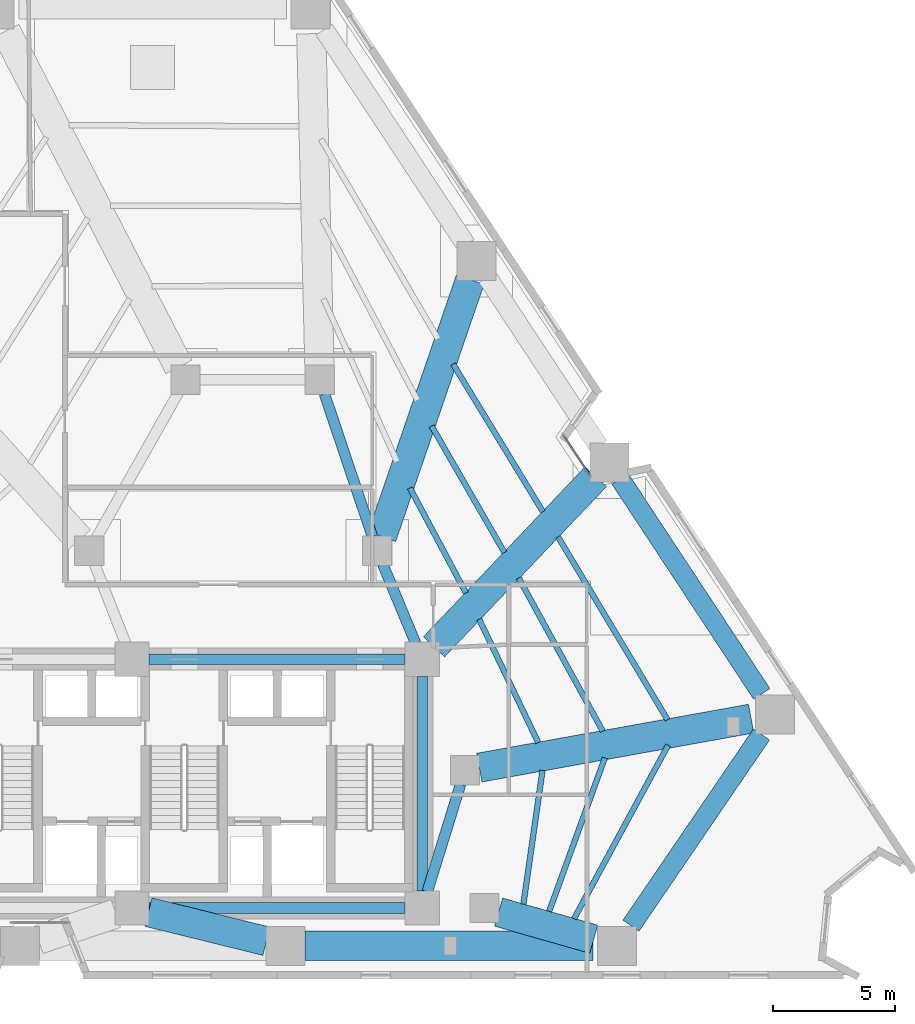
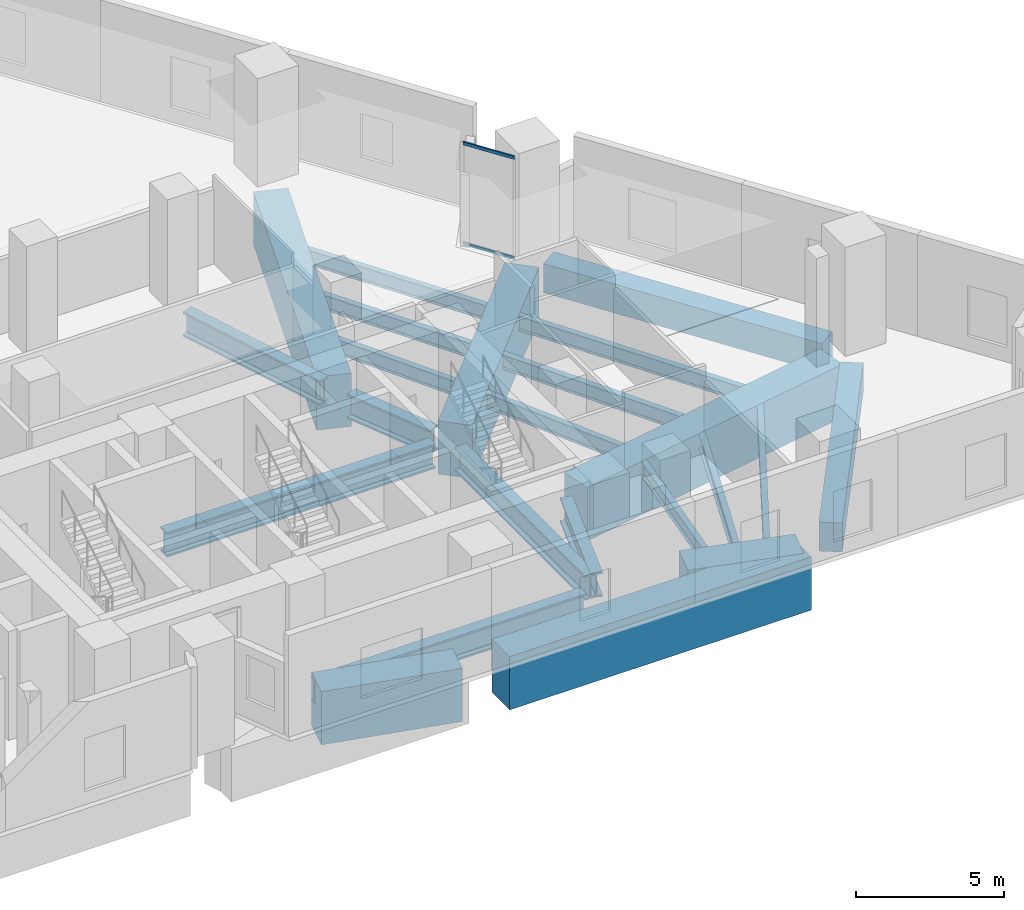
# One storey, part 4 of 15: 23 beams, 2 members, 1 element without a shape of its own.
"""IFC4 building model written with IfcOpenShell, lengths in metres."""

from ifc_helpers import new_model, si_unit, direction, frame, origin, origin_2d, place, context, subcontext, project, spatial, rectangle, i_section, extrude, material, layer, layer_set, material_profile, profile_set, type_object, element, aggregate, save


model = new_model("IFC4")

# Units and contexts
model_context = context("Model", 3, precision=1e-05, world=origin(), true_north=direction((0.0, 1.0)))
body_context = subcontext(model_context, "Body", "Model", "MODEL_VIEW")
ifc_project = project(units=[si_unit("LENGTHUNIT", "METRE"), si_unit("AREAUNIT", "SQUARE_METRE"), si_unit("VOLUMEUNIT", "CUBIC_METRE"), si_unit("PLANEANGLEUNIT", "RADIAN"), si_unit("MASSUNIT", "GRAM", prefix="KILO")], contexts=[model_context])

# Site, building, storey
site_placement = place(None, origin())
site = spatial("IfcSite", under=ifc_project, at=site_placement, CompositionType="ELEMENT")
building_placement = place(site_placement, origin())
building = spatial("IfcBuilding", under=site, at=building_placement, Name="Almagre Mirador Tower", CompositionType="ELEMENT")
storey_placement = place(building_placement, frame((0.0, 0.0, 8.39990234375)))
storey = spatial("IfcBuildingStorey", under=building, at=storey_placement, Name="L01", CompositionType="ELEMENT", Elevation=8.39990234375)

# Beams
ifc_material_1 = material(Name="Steel ASTM A992 Grade 50", Category="steel")
ifc_material_profile_1 = material_profile(ifc_material_1, i_section(OverallWidth=0.22802734375, OverallDepth=0.60791015625, WebThickness=0.01123046875, FlangeThickness=0.017333984375, FilletRadius=0.02001953125, at=origin_2d()), Name="W24X76")
ifc_profile_set_1 = profile_set([ifc_material_profile_1], Name="Steel ASTM A992 Grade 50")
beam_type_1 = type_object("IfcBeamType", Name="BM-JST-W24X76", PredefinedType="JOIST", material=ifc_profile_set_1)
beam_1_placement = place(storey_placement, frame((53.27197265625, 4.11279296875, -0.60400390625), z_axis=(0.476602964538, 0.87911865763, 0.0), x_axis=(-0.87911865763, 0.476602964538, 0.0)))
element("IfcBeam", 1, at=beam_1_placement, inside=storey, type_object=beam_type_1, Name="L01 secondary floor joist PC04-PC05.1", PredefinedType="JOIST", context=body_context, shape_type="SweptSolid", body=[
    extrude(i_section(OverallWidth=0.22802734375, OverallDepth=0.60791015625, WebThickness=0.01123046875, FlangeThickness=0.017333984375, FilletRadius=0.02001953125, at=origin_2d()), origin(), (0.0, 0.0, 1.0), 8.090087890625),
])
beam_2_placement = place(storey_placement, frame((52.254150390625, 4.416015625, -0.60400390625), z_axis=(0.340869869611, 0.940110489246, 0.0), x_axis=(-0.940110489246, 0.340869869611, 0.0)))
element("IfcBeam", 2, at=beam_2_placement, inside=storey, type_object=beam_type_1, Name="L01 secondary floor joist PC04-PC05.2", PredefinedType="JOIST", context=body_context, shape_type="SweptSolid", body=[
    extrude(i_section(OverallWidth=0.22802734375, OverallDepth=0.60791015625, WebThickness=0.01123046875, FlangeThickness=0.017333984375, FilletRadius=0.02001953125, at=origin_2d()), origin(), (0.0, 0.0, 1.0), 6.69091796875),
])
beam_3_placement = place(storey_placement, frame((51.197998046875, 4.712890625, -0.60400390625), z_axis=(0.14127320298, 0.9899706471, 0.0), x_axis=(-0.9899706471, 0.14127320298, 0.0)))
element("IfcBeam", 3, at=beam_3_placement, inside=storey, type_object=beam_type_1, Name="L01 secondary floor joist PC04-PC05.3", PredefinedType="JOIST", context=body_context, shape_type="SweptSolid", body=[
    extrude(i_section(OverallWidth=0.22802734375, OverallDepth=0.60791015625, WebThickness=0.01123046875, FlangeThickness=0.017333984375, FilletRadius=0.02001953125, at=origin_2d()), origin(), (0.0, 0.0, 1.0), 5.536865234375),
])
beam_4_placement = place(storey_placement, frame((57.105712890625, 12.26708984375, -0.60400390625), z_axis=(-0.513665550417, 0.857990502462, 0.0), x_axis=(-0.857990502462, -0.513665550417, 0.0)))
element("IfcBeam", 4, at=beam_4_placement, inside=storey, type_object=beam_type_1, Name="L01 secondary floor joist PC05-PC06.1", PredefinedType="JOIST", context=body_context, shape_type="SweptSolid", body=[
    extrude(i_section(OverallWidth=0.22802734375, OverallDepth=0.60791015625, WebThickness=0.01123046875, FlangeThickness=0.017333984375, FilletRadius=0.02001953125, at=origin_2d()), origin(), (0.0, 0.0, 1.0), 8.73828125),
])
beam_5_placement = place(storey_placement, frame((54.45068359375, 11.79638671875, -0.60400390625), z_axis=(-0.480827541249, 0.876815188952, 0.0), x_axis=(-0.876815188952, -0.480827541249, 0.0)))
element("IfcBeam", 5, at=beam_5_placement, inside=storey, type_object=beam_type_1, Name="L01 secondary floor joist PC05-PC06.2", PredefinedType="JOIST", context=body_context, shape_type="SweptSolid", body=[
    extrude(i_section(OverallWidth=0.22802734375, OverallDepth=0.60791015625, WebThickness=0.01123046875, FlangeThickness=0.017333984375, FilletRadius=0.02001953125, at=origin_2d()), origin(), (0.0, 0.0, 1.0), 7.165283203125),
])
beam_6_placement = place(storey_placement, frame((51.805908203125, 11.32958984375, -0.60400390625), z_axis=(-0.431741890826, 0.901997194955, 0.0), x_axis=(-0.901997194955, -0.431741890826, 0.0)))
element("IfcBeam", 6, at=beam_6_placement, inside=storey, type_object=beam_type_1, Name="L01 secondary floor joist PC05-PC06.3", PredefinedType="JOIST", context=body_context, shape_type="SweptSolid", body=[
    extrude(i_section(OverallWidth=0.22802734375, OverallDepth=0.60791015625, WebThickness=0.01123046875, FlangeThickness=0.017333984375, FilletRadius=0.02001953125, at=origin_2d()), origin(), (0.0, 0.0, 1.0), 5.610107421875),
])
beam_7_placement = place(storey_placement, frame((51.997314453125, 20.7919921875, -0.60400390625), z_axis=(-0.519619011787, 0.854398082038, 0.0), x_axis=(-0.854398082038, -0.519619011787, 0.0)))
element("IfcBeam", 7, at=beam_7_placement, inside=storey, type_object=beam_type_1, Name="L01 secondary floor joist PC06-PC07.1", PredefinedType="JOIST", context=body_context, shape_type="SweptSolid", body=[
    extrude(i_section(OverallWidth=0.22802734375, OverallDepth=0.60791015625, WebThickness=0.01123046875, FlangeThickness=0.017333984375, FilletRadius=0.02001953125, at=origin_2d()), origin(), (0.0, 0.0, 1.0), 7.086181640625),
])
beam_8_placement = place(storey_placement, frame((50.41748046875, 19.125244140625, -0.60400390625), z_axis=(-0.498936574753, 0.866638502707, 0.0), x_axis=(-0.866638502707, -0.498936574753, 0.0)))
element("IfcBeam", 8, at=beam_8_placement, inside=storey, type_object=beam_type_1, Name="L01 secondary floor joist PC06-PC07.2", PredefinedType="JOIST", context=body_context, shape_type="SweptSolid", body=[
    extrude(i_section(OverallWidth=0.22802734375, OverallDepth=0.60791015625, WebThickness=0.01123046875, FlangeThickness=0.017333984375, FilletRadius=0.02001953125, at=origin_2d()), origin(), (0.0, 0.0, 1.0), 5.98095703125),
])
beam_9_placement = place(storey_placement, frame((48.84228515625, 17.460693359375, -0.60400390625), z_axis=(-0.470289676789, 0.882512107512, 0.0), x_axis=(-0.882512107512, -0.470289676789, 0.0)))
element("IfcBeam", 9, at=beam_9_placement, inside=storey, type_object=beam_type_1, Name="L01 secondary floor joist PC06-PC07.3", PredefinedType="JOIST", context=body_context, shape_type="SweptSolid", body=[
    extrude(i_section(OverallWidth=0.22802734375, OverallDepth=0.60791015625, WebThickness=0.01123046875, FlangeThickness=0.017333984375, FilletRadius=0.02001953125, at=origin_2d()), origin(), (0.0, 0.0, 1.0), 4.88134765625),
])
ifc_material_2 = material(Name="Precast concrete C50/60", Category="concrete")
ifc_material_profile_2 = material_profile(ifc_material_2, rectangle(XDim=0.800048828125, YDim=1.199951171875, at=origin_2d()), Name="RC800X1200")
ifc_profile_set_2 = profile_set([ifc_material_profile_2], Name="Precast concrete C50/60")
beam_type_2 = type_object("IfcBeamType", Name="BM-SPN-RC800X1200", PredefinedType="SPANDREL", material=ifc_profile_set_2)
beam_10_placement = place(storey_placement, frame((55.603759765625, 3.825927734375, -0.89990234375), z_axis=(0.563701507362, 0.825978577566, 0.0), x_axis=(-0.825978577566, 0.563701507362, 0.0)))
element("IfcBeam", 10, at=beam_10_placement, inside=storey, type_object=beam_type_2, Name="L01 perimeter spandrel beam PC04-PC05", PredefinedType="SPANDREL", context=body_context, shape_type="SweptSolid", body=[
    extrude(rectangle(XDim=0.800048828125, YDim=1.199951171875, at=origin_2d()), origin(), (0.0, 0.0, 1.0), 9.491943359375),
])
beam_11_placement = place(storey_placement, frame((60.9677734375, 13.326904296875, -0.89990234375), z_axis=(-0.550199423007, 0.835033289709, 0.0), x_axis=(-0.835033289709, -0.550199423007, 0.0)))
element("IfcBeam", 11, at=beam_11_placement, inside=storey, type_object=beam_type_2, Name="L01 perimeter spandrel beam PC05-PC06", PredefinedType="SPANDREL", context=body_context, shape_type="SweptSolid", body=[
    extrude(rectangle(XDim=0.800048828125, YDim=1.199951171875, at=origin_2d()), origin(), (0.0, 0.0, 1.0), 10.55908203125),
])
ifc_material_3 = material(Name="Steel ASTM A992 Grade 50", Category="steel")
ifc_material_profile_3 = material_profile(ifc_material_3, i_section(OverallWidth=0.43701171875, OverallDepth=1.010986328125, WebThickness=0.041015625, FlangeThickness=0.073974609375, FilletRadius=0.028076171875, at=origin_2d()), Name="W36X529")
ifc_profile_set_3 = profile_set([ifc_material_profile_3], Name="Steel ASTM A992 Grade 50")
beam_type_3 = type_object("IfcBeamType", Name="BM-STL-W36X529", PredefinedType="BEAM", material=ifc_profile_set_3)
for number, where, z_axis, x_axis, name in (
    (12, (35.85009765625, 4.550048828125, -0.805419921875), (1.0, 0.0, 0.0), (0.0, 1.0, 0.0), "L01 core tie girder CC2-CC3"),
    (13, (35.85009765625, 14.75, -0.805419921875), (1.0, 0.0, 0.0), (0.0, 1.0, 0.0), "L01 core tie girder CC5-CC6"),
):
    element("IfcBeam", number, at=place(storey_placement, frame(where, z_axis=z_axis, x_axis=x_axis)), inside=storey, type_object=beam_type_3, Name=name, PredefinedType="BEAM", context=body_context, shape_type="SweptSolid", body=[
        extrude(i_section(OverallWidth=0.43701171875, OverallDepth=1.010986328125, WebThickness=0.041015625, FlangeThickness=0.073974609375, FilletRadius=0.028076171875, at=origin_2d()), origin(), (0.0, 0.0, 1.0), 10.5),
    ])
beam_12_placement = place(storey_placement, frame((47.050048828125, 5.25, -0.805419921875), z_axis=(0.0, 1.0, 0.0), x_axis=(-1.0, 0.0, 0.0)))
element("IfcBeam", 14, at=beam_12_placement, inside=storey, type_object=beam_type_3, Name="L01 core tie girder CC3-CC6", PredefinedType="BEAM", context=body_context, shape_type="SweptSolid", body=[
    extrude(i_section(OverallWidth=0.43701171875, OverallDepth=1.010986328125, WebThickness=0.041015625, FlangeThickness=0.073974609375, FilletRadius=0.028076171875, at=origin_2d()), origin(), (0.0, 0.0, 1.0), 8.800048828125),
])
beam_13_placement = place(storey_placement, frame((48.62255859375, 9.626953125, -0.805419921875), z_axis=(-0.295888328273, -0.955222538046, 0.0), x_axis=(0.955222538046, -0.295888328273, 0.0)))
element("IfcBeam", 15, at=beam_13_placement, inside=storey, type_object=beam_type_3, Name="L01 core tie girder MC3-CC3", PredefinedType="BEAM", context=body_context, shape_type="SweptSolid", body=[
    extrude(i_section(OverallWidth=0.43701171875, OverallDepth=1.010986328125, WebThickness=0.041015625, FlangeThickness=0.073974609375, FilletRadius=0.028076171875, at=origin_2d()), origin(), (0.0, 0.0, 1.0), 4.61474609375),
])
beam_14_placement = place(storey_placement, frame((45.430419921875, 18.64599609375, -0.805419921875), z_axis=(0.383856635851, -0.923392702545, 0.0), x_axis=(0.923392702545, 0.383856635851, 0.0)))
element("IfcBeam", 16, at=beam_14_placement, inside=storey, type_object=beam_type_3, Name="L01 core tie girder MC5-CC6", PredefinedType="BEAM", context=body_context, shape_type="SweptSolid", body=[
    extrude(i_section(OverallWidth=0.43701171875, OverallDepth=1.010986328125, WebThickness=0.041015625, FlangeThickness=0.073974609375, FilletRadius=0.028076171875, at=origin_2d()), origin(), (0.0, 0.0, 1.0), 3.51904296875),
])
beam_15_placement = place(storey_placement, frame((43.041015625, 25.631103515625, -0.805419921875), z_axis=(0.318252395552, -0.948006019351, 0.0), x_axis=(0.948006019351, 0.318252395552, 0.0)))
element("IfcBeam", 17, at=beam_15_placement, inside=storey, type_object=beam_type_3, Name="L01 core tie girder MC6-MC5", PredefinedType="BEAM", context=body_context, shape_type="SweptSolid", body=[
    extrude(i_section(OverallWidth=0.43701171875, OverallDepth=1.010986328125, WebThickness=0.041015625, FlangeThickness=0.073974609375, FilletRadius=0.028076171875, at=origin_2d()), origin(), (0.0, 0.0, 1.0), 6.183837890625),
])
ifc_material_4 = material(Name="Concrete C60/75", Category="concrete")
ifc_material_profile_4 = material_profile(ifc_material_4, rectangle(XDim=1.199951171875, YDim=2.199951171875, at=origin_2d()), Name="RC1200X2200")
ifc_profile_set_4 = profile_set([ifc_material_profile_4], Name="Concrete C60/75")
beam_type_4 = type_object("IfcBeamType", Name="BM-XFER-RC1200X2200", PredefinedType="BEAM", material=ifc_profile_set_4)
beam_16_placement = place(storey_placement, frame((42.239990234375, 3.0, -1.39990234375), z_axis=(1.0, 0.0, 0.0), x_axis=(0.0, 1.0, 0.0)))
element("IfcBeam", 18, at=beam_16_placement, inside=storey, type_object=beam_type_4, Name="L01 perimeter spandrel beam PC03-PC04", PredefinedType="BEAM", context=body_context, shape_type="SweptSolid", body=[
    extrude(rectangle(XDim=1.199951171875, YDim=2.199951171875, at=origin_2d()), origin(), (0.0, 0.0, 1.0), 11.800048828125),
])
beam_17_placement = place(storey_placement, frame((40.6630859375, 3.19140625, -1.39990234375), z_axis=(-0.970950577001, 0.239280122497, 0.0), x_axis=(-0.239280122497, -0.970950577001, 0.0)))
element("IfcBeam", 19, at=beam_17_placement, inside=storey, type_object=beam_type_4, Name="L01 radial transfer girder PC03-CC2", PredefinedType="BEAM", context=body_context, shape_type="SweptSolid", body=[
    extrude(rectangle(XDim=1.199951171875, YDim=2.199951171875, at=origin_2d()), origin(), (0.0, 0.0, 1.0), 4.97802734375),
])
beam_18_placement = place(storey_placement, frame((54.078369140625, 3.27392578125, -1.39990234375), z_axis=(-0.961725811742, 0.274013618327, 0.0), x_axis=(-0.274013618327, -0.961725811742, 0.0)))
element("IfcBeam", 20, at=beam_18_placement, inside=storey, type_object=beam_type_4, Name="L01 radial transfer girder PC04-MC2", PredefinedType="BEAM", context=body_context, shape_type="SweptSolid", body=[
    extrude(rectangle(XDim=1.199951171875, YDim=2.199951171875, at=origin_2d()), origin(), (0.0, 0.0, 1.0), 4.056640625),
])
beam_19_placement = place(storey_placement, frame((60.533935546875, 12.314697265625, -1.39990234375), z_axis=(-0.984145408317, -0.177363511717, 0.0), x_axis=(0.177363511717, -0.984145408317, 0.0)))
element("IfcBeam", 21, at=beam_19_placement, inside=storey, type_object=beam_type_4, Name="L01 radial transfer girder PC05-MC3", PredefinedType="BEAM", context=body_context, shape_type="SweptSolid", body=[
    extrude(rectangle(XDim=1.199951171875, YDim=2.199951171875, at=origin_2d()), origin(), (0.0, 0.0, 1.0), 11.322998046875),
])
beam_20_placement = place(storey_placement, frame((54.166748046875, 22.232421875, -1.39990234375), z_axis=(-0.689169924888, -0.724599761683, 0.0), x_axis=(0.724599761683, -0.689169924888, 0.0)))
element("IfcBeam", 22, at=beam_20_placement, inside=storey, type_object=beam_type_4, Name="L01 radial transfer girder PC06-CC6", PredefinedType="BEAM", context=body_context, shape_type="SweptSolid", body=[
    extrude(rectangle(XDim=1.199951171875, YDim=2.199951171875, at=origin_2d()), origin(), (0.0, 0.0, 1.0), 9.62646484375),
])
beam_21_placement = place(storey_placement, frame((49.01806640625, 30.311279296875, -1.39990234375), z_axis=(-0.324964711331, -0.945726142384, 0.0), x_axis=(0.945726142384, -0.324964711331, 0.0)))
element("IfcBeam", 23, at=beam_21_placement, inside=storey, type_object=beam_type_4, Name="L01 radial transfer girder PC07-MC5", PredefinedType="BEAM", context=body_context, shape_type="SweptSolid", body=[
    extrude(rectangle(XDim=1.199951171875, YDim=2.199951171875, at=origin_2d()), origin(), (0.0, 0.0, 1.0), 11.14892578125),
])

# Curtain wall, members
ifc_material_5 = material(Name="Black anodized aluminium", Category="aluminium")
ifc_layer = layer(ifc_material_5, 0.169921875)
ifc_layer_set = layer_set([ifc_layer], Name="Black anodized aluminium")
curtain_wall_type = type_object("IfcCurtainWallType", Name="CW-CRS-SYS", PredefinedType="NOTDEFINED", material=ifc_layer_set)
curtain_wall_placement = place(storey_placement, origin())
curtain_wall = element("IfcCurtainWall", 24, at=curtain_wall_placement, inside=storey, type_object=curtain_wall_type, Name="L01 vertical crease curtain wall 05", PredefinedType="NOTDEFINED")
ifc_material_6 = material(Name="Black anodized aluminium", Category="aluminium")
ifc_material_profile_5 = material_profile(ifc_material_6, rectangle(XDim=0.06005859375, YDim=0.1298828125, at=origin_2d()), Name="CWT60X130")
ifc_profile_set_5 = profile_set([ifc_material_profile_5], Name="Black anodized aluminium")
member_type = type_object("IfcMemberType", Name="MBR-CWT60X130", PredefinedType="USERDEFINED", material=ifc_profile_set_5)
member_1_placement = place(storey_placement, frame((52.847900390625, 23.9228515625, 0.030029296875), z_axis=(0.55030940239, -0.834960814435, 0.0), x_axis=(0.834960814435, 0.55030940239, 0.0)))
member_1 = element("IfcMember", 25, at=member_1_placement, type_object=member_type, Name="CW-4 transom 1.1", ObjectType="TRANSOM", PredefinedType="USERDEFINED", context=body_context, shape_type="SweptSolid", body=[
    extrude(rectangle(XDim=0.06005859375, YDim=0.1298828125, at=origin_2d()), origin(), (0.0, 0.0, 1.0), 1.953857421875),
])
member_2_placement = place(storey_placement, frame((52.847900390625, 23.9228515625, 4.170166015625), z_axis=(0.55030940239, -0.834960814435, 0.0), x_axis=(0.834960814435, 0.55030940239, 0.0)))
member_2 = element("IfcMember", 26, at=member_2_placement, type_object=member_type, Name="CW-4 transom 1.2", ObjectType="TRANSOM", PredefinedType="USERDEFINED", context=body_context, shape_type="SweptSolid", body=[
    extrude(rectangle(XDim=0.06005859375, YDim=0.1298828125, at=origin_2d()), origin(), (0.0, 0.0, 1.0), 1.953857421875),
])
aggregate(curtain_wall, [member_1, member_2])

save(model, "model.ifc")
